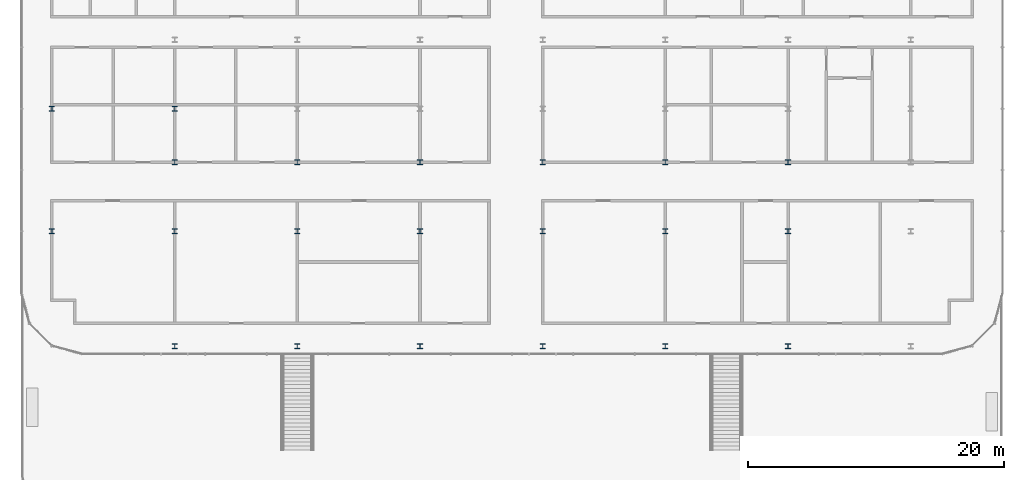
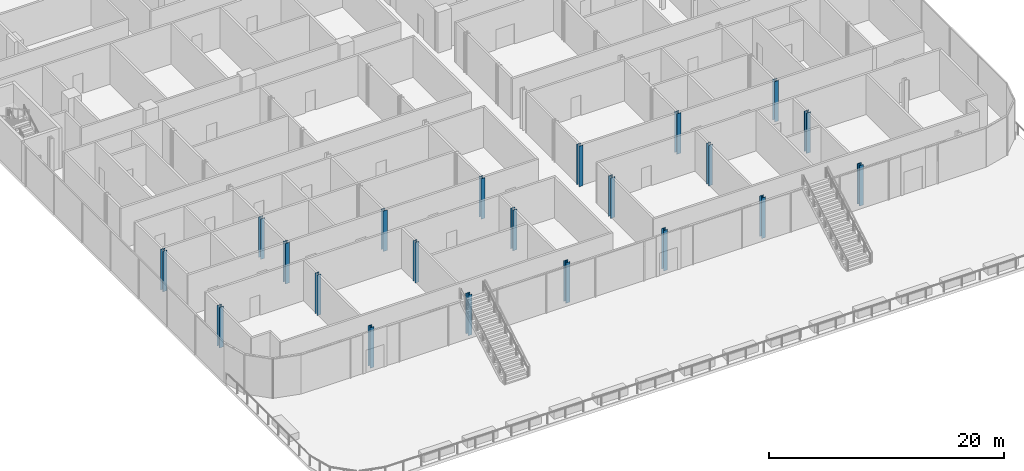
# One storey, part 1 of 45: 21 columns.
"""IFC4 building model written with IfcOpenShell, lengths in metres."""

from ifc_helpers import new_model, si_unit, direction, frame, origin, origin_2d, place, context, subcontext, project, spatial, i_section, extrude, material, material_profile, profile_set, type_object, element, save


model = new_model("IFC4")

# Units and contexts
model_context = context("Model", 3, precision=1e-05, world=origin(), true_north=direction((0.0, 1.0)))
body_context = subcontext(model_context, "Body", "Model", "MODEL_VIEW")
ifc_project = project(units=[si_unit("LENGTHUNIT", "METRE"), si_unit("AREAUNIT", "SQUARE_METRE"), si_unit("VOLUMEUNIT", "CUBIC_METRE"), si_unit("PLANEANGLEUNIT", "RADIAN"), si_unit("MASSUNIT", "GRAM", prefix="KILO")], contexts=[model_context])

# Site, building, storey
site_placement = place(None, origin())
site = spatial("IfcSite", under=ifc_project, at=site_placement, CompositionType="ELEMENT")
building_placement = place(site_placement, origin())
building = spatial("IfcBuilding", under=site, at=building_placement, Name="Madar Terraces", CompositionType="ELEMENT")
storey_placement = place(building_placement, frame((0.0, 0.0, 6.0)))
storey = spatial("IfcBuildingStorey", under=building, at=storey_placement, Name="L01", CompositionType="ELEMENT", Elevation=6.0)

# Columns
ifc_material = material(Name="Steel ASTM A992 Grade 50", Category="steel")
ifc_material_profile = material_profile(ifc_material, i_section(OverallWidth=0.396240234375, OverallDepth=0.381103515625, WebThickness=0.01904296875, FlangeThickness=0.0302734375, at=origin_2d()), Name="W14x159")
ifc_profile_set = profile_set([ifc_material_profile], Name="Steel ASTM A992 Grade 50")
column_type = type_object("IfcColumnType", Name="PC2 W14x159", PredefinedType="COLUMN", material=ifc_profile_set)
for number, where, z_axis, x_axis, name in (
    (1, (-4.800048828125, -28.800048828125, 0.0), (0.0, 0.0, 1.0), (1.0, 0.0, 0.0), "Podium column PC2"),
    (2, (-4.800048828125, -19.199951171875, 0.0), (0.0, 0.0, 1.0), (1.0, 0.0, 0.0), "Podium column PC2"),
    (3, (4.800048828125, -37.800048828125, 0.0), (0.0, 0.0, 1.0), (1.0, 0.0, 0.0), "Podium column PC2"),
    (4, (4.800048828125, -28.800048828125, 0.0), (0.0, 0.0, 1.0), (1.0, 0.0, 0.0), "Podium column PC2"),
    (5, (4.800048828125, -23.39990234375, 0.0), (0.0, 0.0, 1.0), (1.0, 0.0, 0.0), "Podium column PC2"),
    (6, (4.800048828125, -19.199951171875, 0.0), (0.0, 0.0, 1.0), (1.0, 0.0, 0.0), "Podium column PC2"),
    (7, (14.39990234375, -37.800048828125, 0.0), (0.0, 0.0, 1.0), (1.0, 0.0, 0.0), "Podium column PC2"),
    (8, (14.39990234375, -28.800048828125, 0.0), (0.0, 0.0, 1.0), (1.0, 0.0, 0.0), "Podium column PC2"),
    (9, (14.39990234375, -23.39990234375, 0.0), (0.0, 0.0, 1.0), (1.0, 0.0, 0.0), "Podium column PC2"),
    (10, (24.0, -37.800048828125, 0.0), (0.0, 0.0, 1.0), (1.0, 0.0, 0.0), "Podium column PC2"),
    (11, (24.0, -28.800048828125, 0.0), (0.0, 0.0, 1.0), (1.0, 0.0, 0.0), "Podium column PC2"),
    (12, (24.0, -23.39990234375, 0.0), (0.0, 0.0, 1.0), (1.0, 0.0, 0.0), "Podium column PC2"),
    (13, (33.60009765625, -37.800048828125, 0.0), (0.0, 0.0, 1.0), (1.0, 0.0, 0.0), "Podium column PC2"),
    (14, (33.60009765625, -28.800048828125, 0.0), (0.0, 0.0, 1.0), (1.0, 0.0, 0.0), "Podium column PC2"),
    (15, (33.60009765625, -23.39990234375, 0.0), (0.0, 0.0, 1.0), (1.0, 0.0, 0.0), "Podium column PC2"),
    (16, (43.199951171875, -37.800048828125, 0.0), (0.0, 0.0, 1.0), (1.0, 0.0, 0.0), "Podium column PC2"),
    (17, (43.199951171875, -28.800048828125, 0.0), (0.0, 0.0, 1.0), (1.0, 0.0, 0.0), "Podium column PC2"),
    (18, (43.199951171875, -23.39990234375, 0.0), (0.0, 0.0, 1.0), (1.0, 0.0, 0.0), "Podium column PC2"),
    (19, (52.800048828125, -37.800048828125, 0.0), (0.0, 0.0, 1.0), (1.0, 0.0, 0.0), "Podium column PC2"),
    (20, (52.800048828125, -28.800048828125, 0.0), (0.0, 0.0, 1.0), (1.0, 0.0, 0.0), "Podium column PC2"),
    (21, (52.800048828125, -23.39990234375, 0.0), (0.0, 0.0, 1.0), (1.0, 0.0, 0.0), "Podium column PC2"),
):
    element("IfcColumn", number, at=place(storey_placement, frame(where, z_axis=z_axis, x_axis=x_axis)), inside=storey, type_object=column_type, Name=name, PredefinedType="COLUMN", context=body_context, shape_type="SweptSolid", body=[
        extrude(i_section(OverallWidth=0.396240234375, OverallDepth=0.381103515625, WebThickness=0.01904296875, FlangeThickness=0.0302734375, at=origin_2d()), origin(), (0.0, 0.0, 1.0), 4.199951171875),
    ])

save(model, "model.ifc")
